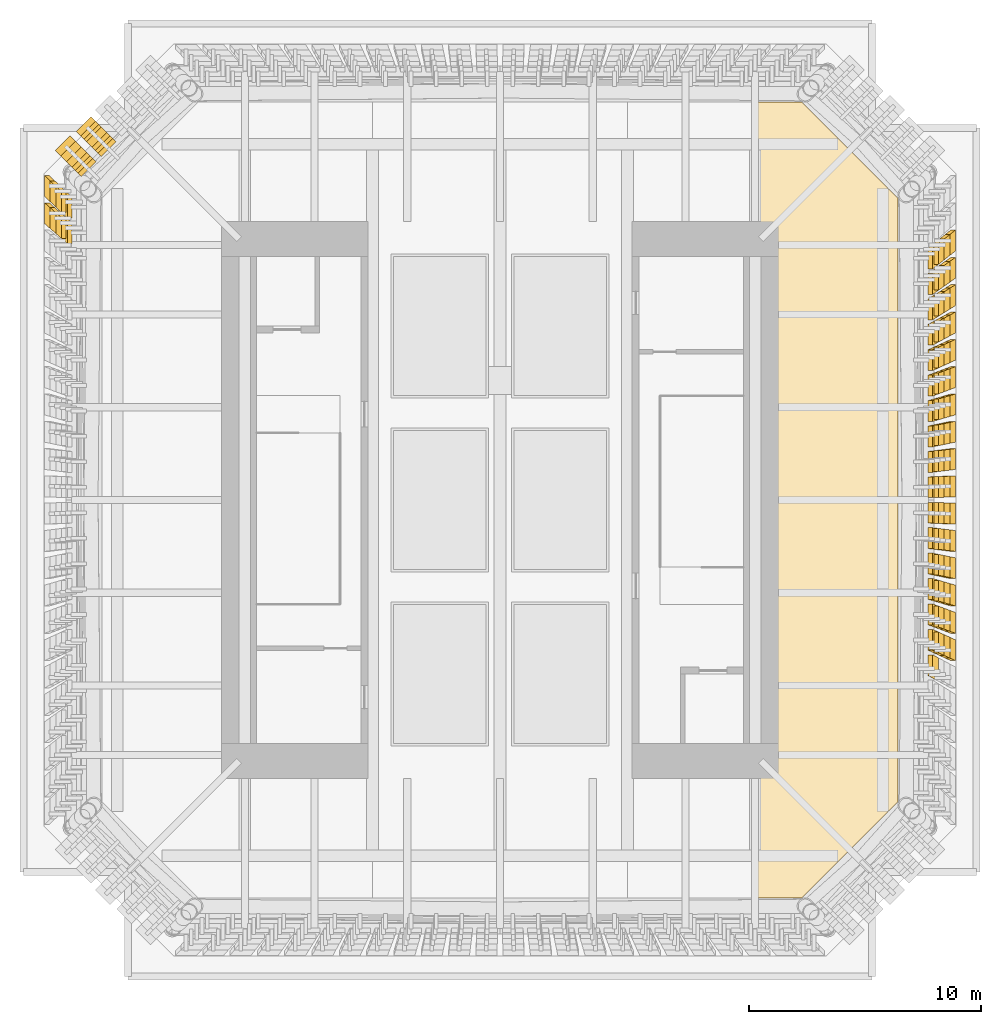
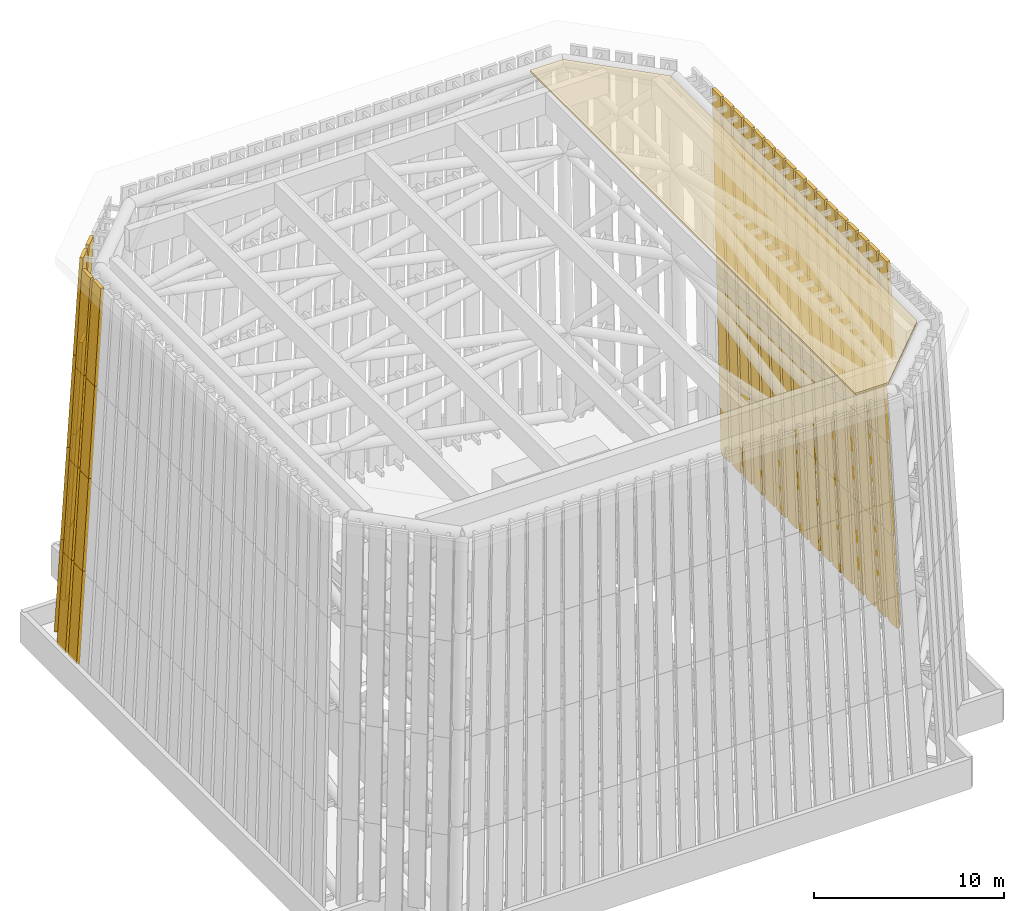
# One storey, part 10 of 13: 81 shading devices, 1 covering.
"""IFC4 building model written with IfcOpenShell, lengths in metres."""

from ifc_helpers import new_model, si_unit, direction, frame, origin, origin_2d, place, context, subcontext, project, spatial, polyline, rectangle, outline, extrude, source, transform, mapped, material, layer, layer_set, material_profile, profile_set, type_object, element, save


model = new_model("IFC4")

# Units and contexts
model_context = context("Model", 3, precision=1e-05, world=origin(), true_north=direction((0.0, 1.0)))
body_context = subcontext(model_context, "Body", "Model", "MODEL_VIEW")
ifc_project = project(units=[si_unit("LENGTHUNIT", "METRE"), si_unit("AREAUNIT", "SQUARE_METRE"), si_unit("VOLUMEUNIT", "CUBIC_METRE"), si_unit("PLANEANGLEUNIT", "RADIAN"), si_unit("MASSUNIT", "GRAM", prefix="KILO")], contexts=[model_context])

# Site, building, storey
site_placement = place(None, origin())
site = spatial("IfcSite", under=ifc_project, at=site_placement, CompositionType="ELEMENT")
building_placement = place(site_placement, origin())
building = spatial("IfcBuilding", under=site, at=building_placement, Name="Peilmerk Tower", CompositionType="ELEMENT")
storey_placement = place(building_placement, frame((0.0, 0.0, 307.800048828125)))
storey = spatial("IfcBuildingStorey", under=building, at=storey_placement, Name="RF", CompositionType="ELEMENT", Elevation=307.800048828125)

# Covering
ifc_material_1 = material(Name="Aluminium EN AW-6063 T6", Category="aluminium")
ifc_layer = layer(ifc_material_1, 0.1201171875)
ifc_layer_set = layer_set([ifc_layer], Name="Aluminium EN AW-6063 T6")
covering_type = type_object("IfcCoveringType", Name="LV1 120 louvre roof bay", PredefinedType="USERDEFINED", material=ifc_layer_set)
covering_placement = place(storey_placement, frame((0.0, 0.0, 24.199951171875)))
element("IfcCovering", 1, at=covering_placement, inside=storey, type_object=covering_type, Name="Crown louvre roof bay 6", ObjectType="LOUVRE ROOF", PredefinedType="USERDEFINED", context=body_context, shape_type="SweptSolid", body=[
    extrude(outline(polyline([(17.162353515625, 13.0205078125), (13.0205078125, 17.162353515625), (11.0, 17.162353515625), (11.0, -17.162353515625), (13.0205078125, -17.162353515625), (17.162353515625, -13.0205078125), (17.162353515625, 13.0205078125)])), origin(), (0.0, 0.0, 1.0), 0.1201171875),
])

# Shading devices
ifc_material_2 = material(Name="GRP composite, board-marked concrete finish", Category="concrete")
ifc_material_profile = material_profile(ifc_material_2, rectangle(XDim=0.199951171875, YDim=0.89990234375, at=origin_2d()), Name="CF1 200x900")
ifc_profile_set = profile_set([ifc_material_profile], Name="GRP composite, board-marked concrete finish")
shading_device_type = type_object("IfcShadingDeviceType", Name="CF1 200x900 GRP crown fin", PredefinedType="USERDEFINED", material=ifc_profile_set)
shared_shape_1 = source(origin(), body_context, "Body", "SweptSolid", [
    extrude(rectangle(XDim=0.199951171875, YDim=0.89990234375, at=origin_2d()), origin(), (0.0, 0.0, 1.0), 6.009765625),
])
for number, where, z_axis, x_axis, name in (
    (2, (-18.796875, 15.31689453125, 0.0), (0.040258485407, -0.040258485407, 0.998377938811), (-0.705959810721, 0.705959810721, 0.056934096063), "Crown fin CF1 NW_W 1 tier 1"),
    (3, (-18.554931640625, 15.074951171875, 6.0), (0.040258485407, -0.040258485407, 0.998377938811), (-0.705959810721, 0.705959810721, 0.056934096063), "Crown fin CF1 NW_W 1 tier 2"),
    (4, (-18.31298828125, 14.8330078125, 12.0), (0.040258485407, -0.040258485407, 0.998377938811), (-0.705959810721, 0.705959810721, 0.056934096063), "Crown fin CF1 NW_W 1 tier 3"),
    (5, (-17.684814453125, 15.94482421875, 6.0), (0.040258485407, -0.040258485407, 0.998377938811), (-0.705959810721, 0.705959810721, 0.056934096063), "Crown fin CF1 NW_W 2 tier 2"),
    (6, (-17.44287109375, 15.702880859375, 12.0), (0.040258485407, -0.040258485407, 0.998377938811), (-0.705959810721, 0.705959810721, 0.056934096063), "Crown fin CF1 NW_W 2 tier 3"),
):
    element("IfcShadingDevice", number, at=place(storey_placement, frame(where, z_axis=z_axis, x_axis=x_axis)), inside=storey, type_object=shading_device_type, Name=name, ObjectType="CROWN FIN", PredefinedType="USERDEFINED", context=body_context, shape_type="MappedRepresentation", body=[
        mapped(shared_shape_1, transform((0.0, 0.0, 0.0), scale=1.0)),
    ])
shared_shape_2 = source(origin(), body_context, "Body", "SweptSolid", [
    extrude(rectangle(XDim=0.199951171875, YDim=0.89990234375, at=origin_2d()), origin(), (0.0, 0.0, 1.0), 6.36572265625),
])
for number, where, z_axis, x_axis, name in (
    (7, (-18.071044921875, 14.591064453125, 18.0), (0.040269510679, -0.040269510679, 0.998377049526), (-0.705959181901, 0.705959181901, 0.056949688153), "Crown fin CF1 NW_W 1 tier 4"),
    (8, (-17.200927734375, 15.4609375, 18.0), (0.040231282973, -0.040231282973, 0.998380131884), (-0.705961361457, 0.705961361457, 0.056895626012), "Crown fin CF1 NW_W 2 tier 4"),
):
    element("IfcShadingDevice", number, at=place(storey_placement, frame(where, z_axis=z_axis, x_axis=x_axis)), inside=storey, type_object=shading_device_type, Name=name, ObjectType="CROWN FIN", PredefinedType="USERDEFINED", context=body_context, shape_type="MappedRepresentation", body=[
        mapped(shared_shape_2, transform((0.0, 0.0, 0.0), scale=1.0)),
    ])
shared_shape_3 = source(origin(), body_context, "Body", "SweptSolid", [
    extrude(rectangle(XDim=0.199951171875, YDim=0.89990234375, at=origin_2d()), origin(), (0.0, 0.0, 1.0), 4.807861328125),
])
shading_device_1_placement = place(storey_placement, frame((-17.87841796875, 16.138427734375, 1.199951171875), z_axis=(0.040268200199, -0.040268200199, 0.99837715524), x_axis=(-0.705959256652, 0.705959256652, 0.056947834853)))
element("IfcShadingDevice", 9, at=shading_device_1_placement, inside=storey, type_object=shading_device_type, Name="Crown fin CF1 NW_W 2 tier 1", ObjectType="CROWN FIN", PredefinedType="USERDEFINED", context=body_context, shape_type="MappedRepresentation", body=[
    mapped(shared_shape_3, transform((0.0, 0.0, 0.0), scale=1.0)),
])
shared_shape_4 = source(origin(), body_context, "Body", "SweptSolid", [
    extrude(rectangle(XDim=0.199951171875, YDim=0.89990234375, at=origin_2d()), origin(), (0.0, 0.0, 1.0), 6.00927734375),
])
for number, where, z_axis, x_axis, name in (
    (10, (-19.541015625, 13.54638671875, 0.0), (0.040261192417, -0.038554865392, 0.998445070467), (-0.999189189486, -0.001553524468, 0.040231208987), "Crown fin CF1 SW_W 24 tier 1"),
    (11, (-19.299072265625, 13.314697265625, 6.0), (0.04026112932, -0.03859543174, 0.99844350572), (-0.999189192028, -0.001555156602, 0.040231082785), "Crown fin CF1 SW_W 24 tier 2"),
    (12, (-19.05712890625, 13.082763671875, 12.0), (0.04026112932, -0.03859543174, 0.99844350572), (-0.999189192028, -0.001555156602, 0.040231082785), "Crown fin CF1 SW_W 24 tier 3"),
):
    element("IfcShadingDevice", number, at=place(storey_placement, frame(where, z_axis=z_axis, x_axis=x_axis)), inside=storey, type_object=shading_device_type, Name=name, ObjectType="CROWN FIN", PredefinedType="USERDEFINED", context=body_context, shape_type="MappedRepresentation", body=[
        mapped(shared_shape_4, transform((0.0, 0.0, 0.0), scale=1.0)),
    ])
shared_shape_5 = source(origin(), body_context, "Body", "SweptSolid", [
    extrude(rectangle(XDim=0.199951171875, YDim=0.89990234375, at=origin_2d()), origin(), (0.0, 0.0, 1.0), 6.365478515625),
])
shading_device_2_placement = place(storey_placement, frame((-18.815185546875, 12.850830078125, 18.0), z_axis=(0.040272249661, -0.038546296104, 0.9984449554), x_axis=(-0.999188743885, -0.001553606433, 0.040242271305)))
element("IfcShadingDevice", 13, at=shading_device_2_placement, inside=storey, type_object=shading_device_type, Name="Crown fin CF1 SW_W 24 tier 4", ObjectType="CROWN FIN", PredefinedType="USERDEFINED", context=body_context, shape_type="MappedRepresentation", body=[
    mapped(shared_shape_5, transform((0.0, 0.0, 0.0), scale=1.0)),
])
shared_shape_6 = source(origin(), body_context, "Body", "SweptSolid", [
    extrude(rectangle(XDim=0.199951171875, YDim=0.89990234375, at=origin_2d()), origin(), (0.0, 0.0, 1.0), 6.008544921875),
])
for number, where, z_axis, x_axis, name in (
    (14, (-19.541015625, 12.36865234375, 0.0), (0.040266083462, -0.035268375827, 0.998566364439), (-0.999188992395, -0.001421272027, 0.040240992324), "Crown fin CF1 SW_W 23 tier 1"),
    (15, (-19.299072265625, 12.15673828125, 6.0), (0.040266141131, -0.035227794511, 0.99856779458), (-0.999188990071, -0.001419638687, 0.040241107683), "Crown fin CF1 SW_W 23 tier 2"),
    (16, (-19.05712890625, 11.945068359375, 12.0), (0.040266141131, -0.035227794511, 0.99856779458), (-0.999188990071, -0.001419638687, 0.040241107683), "Crown fin CF1 SW_W 23 tier 3"),
):
    element("IfcShadingDevice", number, at=place(storey_placement, frame(where, z_axis=z_axis, x_axis=x_axis)), inside=storey, type_object=shading_device_type, Name=name, ObjectType="CROWN FIN", PredefinedType="USERDEFINED", context=body_context, shape_type="MappedRepresentation", body=[
        mapped(shared_shape_6, transform((0.0, 0.0, 0.0), scale=1.0)),
    ])
shared_shape_7 = source(origin(), body_context, "Body", "SweptSolid", [
    extrude(rectangle(XDim=0.199951171875, YDim=0.89990234375, at=origin_2d()), origin(), (0.0, 0.0, 1.0), 6.364501953125),
])
shading_device_3_placement = place(storey_placement, frame((-18.815185546875, 11.7333984375, 18.0), z_axis=(0.040277206305, -0.035213786084, 0.998567842423), x_axis=(-0.999188544096, -0.00141946476, 0.040252185873)))
element("IfcShadingDevice", 17, at=shading_device_3_placement, inside=storey, type_object=shading_device_type, Name="Crown fin CF1 SW_W 23 tier 4", ObjectType="CROWN FIN", PredefinedType="USERDEFINED", context=body_context, shape_type="MappedRepresentation", body=[
    mapped(shared_shape_7, transform((0.0, 0.0, 0.0), scale=1.0)),
])
shared_shape_8 = source(origin(), body_context, "Body", "SweptSolid", [
    extrude(rectangle(XDim=0.199951171875, YDim=0.89990234375, at=origin_2d()), origin(), (0.0, 0.0, 1.0), 6.0078125),
])
for number, where, z_axis, x_axis, name in (
    (18, (19.541015625, 11.190673828125, 0.0), (-0.04027064452, -0.031899551915, 0.998679474996), (0.999188808579, -0.001285658431, 0.040250116676), "Crown fin CF1 NE_E 3 tier 1"),
    (19, (19.299072265625, 10.9990234375, 6.0), (-0.040270696689, -0.031858956815, 0.998680768744), (0.999188806477, -0.001284023979, 0.040250221046), "Crown fin CF1 NE_E 3 tier 2"),
    (20, (19.05712890625, 10.8076171875, 12.0), (-0.04027064452, -0.031899551915, 0.998679474996), (0.999188808579, -0.001285658431, 0.040250116676), "Crown fin CF1 NE_E 3 tier 3"),
):
    element("IfcShadingDevice", number, at=place(storey_placement, frame(where, z_axis=z_axis, x_axis=x_axis)), inside=storey, type_object=shading_device_type, Name=name, ObjectType="CROWN FIN", PredefinedType="USERDEFINED", context=body_context, shape_type="MappedRepresentation", body=[
        mapped(shared_shape_8, transform((0.0, 0.0, 0.0), scale=1.0)),
    ])
shared_shape_9 = source(origin(), body_context, "Body", "SweptSolid", [
    extrude(rectangle(XDim=0.199951171875, YDim=0.89990234375, at=origin_2d()), origin(), (0.0, 0.0, 1.0), 6.36376953125),
])
shading_device_4_placement = place(storey_placement, frame((18.815185546875, 10.615966796875, 18.0), z_axis=(-0.040281716045, -0.031880100984, 0.998679649594), x_axis=(0.999188362298, -0.001285228315, 0.040261207578)))
element("IfcShadingDevice", 21, at=shading_device_4_placement, inside=storey, type_object=shading_device_type, Name="Crown fin CF1 NE_E 3 tier 4", ObjectType="CROWN FIN", PredefinedType="USERDEFINED", context=body_context, shape_type="MappedRepresentation", body=[
    mapped(shared_shape_9, transform((0.0, 0.0, 0.0), scale=1.0)),
])
shared_shape_10 = source(origin(), body_context, "Body", "SweptSolid", [
    extrude(rectangle(XDim=0.199951171875, YDim=0.89990234375, at=origin_2d()), origin(), (0.0, 0.0, 1.0), 6.00732421875),
])
for number, where, z_axis, x_axis, name in (
    (22, (19.541015625, 10.0126953125, 0.0), (-0.040274748865, -0.028529640468, 0.998781259445), (0.999188643152, -0.001149957131, 0.040258328266), "Crown fin CF1 NE_E 4 tier 1"),
    (23, (19.299072265625, 9.84130859375, 6.0), (-0.040274748865, -0.028529640468, 0.998781259445), (0.999188643152, -0.001149957131, 0.040258328266), "Crown fin CF1 NE_E 4 tier 2"),
    (24, (19.05712890625, 9.669921875, 12.0), (-0.040274748865, -0.028529640468, 0.998781259445), (0.999188643152, -0.001149957131, 0.040258328266), "Crown fin CF1 NE_E 4 tier 3"),
):
    element("IfcShadingDevice", number, at=place(storey_placement, frame(where, z_axis=z_axis, x_axis=x_axis)), inside=storey, type_object=shading_device_type, Name=name, ObjectType="CROWN FIN", PredefinedType="USERDEFINED", context=body_context, shape_type="MappedRepresentation", body=[
        mapped(shared_shape_10, transform((0.0, 0.0, 0.0), scale=1.0)),
    ])
shared_shape_11 = source(origin(), body_context, "Body", "SweptSolid", [
    extrude(rectangle(XDim=0.199951171875, YDim=0.89990234375, at=origin_2d()), origin(), (0.0, 0.0, 1.0), 6.36328125),
])
shading_device_5_placement = place(storey_placement, frame((18.815185546875, 9.49853515625, 18.0), z_axis=(-0.040285778427, -0.028545351571, 0.998780365726), x_axis=(0.999188198517, -0.001150906016, 0.040269335217)))
element("IfcShadingDevice", 25, at=shading_device_5_placement, inside=storey, type_object=shading_device_type, Name="Crown fin CF1 NE_E 4 tier 4", ObjectType="CROWN FIN", PredefinedType="USERDEFINED", context=body_context, shape_type="MappedRepresentation", body=[
    mapped(shared_shape_11, transform((0.0, 0.0, 0.0), scale=1.0)),
])
shared_shape_12 = source(origin(), body_context, "Body", "SweptSolid", [
    extrude(rectangle(XDim=0.199951171875, YDim=0.89990234375, at=origin_2d()), origin(), (0.0, 0.0, 1.0), 6.0068359375),
])
for number, where, z_axis, x_axis, name in (
    (26, (19.541015625, 8.834716796875, 0.0), (-0.040278354858, -0.025199374381, 0.998870685154), (0.999188497797, -0.001015813679, 0.040265543491), "Crown fin CF1 NE_E 5 tier 1"),
    (27, (19.299072265625, 8.683349609375, 6.0), (-0.040278396078, -0.025158755976, 0.998871707381), (0.999188496135, -0.001014177347, 0.040265625972), "Crown fin CF1 NE_E 5 tier 2"),
    (28, (19.05712890625, 8.5322265625, 12.0), (-0.040278396078, -0.025158755976, 0.998871707381), (0.999188496135, -0.001014177347, 0.040265625972), "Crown fin CF1 NE_E 5 tier 3"),
):
    element("IfcShadingDevice", number, at=place(storey_placement, frame(where, z_axis=z_axis, x_axis=x_axis)), inside=storey, type_object=shading_device_type, Name=name, ObjectType="CROWN FIN", PredefinedType="USERDEFINED", context=body_context, shape_type="MappedRepresentation", body=[
        mapped(shared_shape_12, transform((0.0, 0.0, 0.0), scale=1.0)),
    ])
shared_shape_13 = source(origin(), body_context, "Body", "SweptSolid", [
    extrude(rectangle(XDim=0.199951171875, YDim=0.89990234375, at=origin_2d()), origin(), (0.0, 0.0, 1.0), 6.362548828125),
])
shading_device_6_placement = place(storey_placement, frame((18.815185546875, 8.381103515625, 18.0), z_axis=(-0.040289431989, -0.025171302271, 0.998870946225), x_axis=(0.999188051205, -0.001014961568, 0.040276645628)))
element("IfcShadingDevice", 29, at=shading_device_6_placement, inside=storey, type_object=shading_device_type, Name="Crown fin CF1 NE_E 5 tier 4", ObjectType="CROWN FIN", PredefinedType="USERDEFINED", context=body_context, shape_type="MappedRepresentation", body=[
    mapped(shared_shape_13, transform((0.0, 0.0, 0.0), scale=1.0)),
])
shared_shape_14 = source(origin(), body_context, "Body", "SweptSolid", [
    extrude(rectangle(XDim=0.199951171875, YDim=0.89990234375, at=origin_2d()), origin(), (0.0, 0.0, 1.0), 6.00634765625),
])
for number, where, z_axis, x_axis, name in (
    (30, (19.541015625, 7.65673828125, 0.0), (-0.04028155008, -0.021827641163, 0.998949924072), (0.999188368989, -0.000879965428, 0.040271937347), "Crown fin CF1 NE_E 6 tier 1"),
    (31, (19.299072265625, 7.525634765625, 6.0), (-0.04028155008, -0.021827641163, 0.998949924072), (0.999188368989, -0.000879965428, 0.040271937347), "Crown fin CF1 NE_E 6 tier 2"),
    (32, (19.05712890625, 7.39453125, 12.0), (-0.040281585786, -0.021787013099, 0.998950809553), (0.99918836755, -0.000878328317, 0.0402720088), "Crown fin CF1 NE_E 6 tier 3"),
):
    element("IfcShadingDevice", number, at=place(storey_placement, frame(where, z_axis=z_axis, x_axis=x_axis)), inside=storey, type_object=shading_device_type, Name=name, ObjectType="CROWN FIN", PredefinedType="USERDEFINED", context=body_context, shape_type="MappedRepresentation", body=[
        mapped(shared_shape_14, transform((0.0, 0.0, 0.0), scale=1.0)),
    ])
shared_shape_15 = source(origin(), body_context, "Body", "SweptSolid", [
    extrude(rectangle(XDim=0.199951171875, YDim=0.89990234375, at=origin_2d()), origin(), (0.0, 0.0, 1.0), 6.362060546875),
])
for number, where, z_axis, x_axis, name in (
    (33, (18.815185546875, 7.263671875, 18.0), (-0.04029259333, -0.021834748195, 0.998949323386), (0.999187923727, -0.000880493657, 0.04028297169), "Crown fin CF1 NE_E 6 tier 4"),
    (34, (18.815185546875, -7.263671875, 18.0), (-0.04029259333, 0.021834748195, 0.998949323386), (0.999187923727, 0.000880493657, 0.04028297169), "Crown fin CF1 NE_E 19 tier 4"),
):
    element("IfcShadingDevice", number, at=place(storey_placement, frame(where, z_axis=z_axis, x_axis=x_axis)), inside=storey, type_object=shading_device_type, Name=name, ObjectType="CROWN FIN", PredefinedType="USERDEFINED", context=body_context, shape_type="MappedRepresentation", body=[
        mapped(shared_shape_15, transform((0.0, 0.0, 0.0), scale=1.0)),
    ])
shared_shape_16 = source(origin(), body_context, "Body", "SweptSolid", [
    extrude(rectangle(XDim=0.199951171875, YDim=0.89990234375, at=origin_2d()), origin(), (0.0, 0.0, 1.0), 6.005859375),
])
for number, where, z_axis, x_axis, name in (
    (35, (19.541015625, 6.478759765625, 0.0), (-0.040284287473, -0.01845516298, 0.999017809222), (0.999188258629, -0.000744057073, 0.040277415462), "Crown fin CF1 NE_E 7 tier 1"),
    (36, (19.299072265625, 6.367919921875, 6.0), (-0.040284287473, -0.01845516298, 0.999017809222), (0.999188258629, -0.000744057073, 0.040277415462), "Crown fin CF1 NE_E 7 tier 2"),
    (37, (19.05712890625, 6.257080078125, 12.0), (-0.040284257218, -0.018495799227, 0.999017058929), (0.999188259849, -0.000745694844, 0.040277354914), "Crown fin CF1 NE_E 7 tier 3"),
    (38, (19.541015625, -6.478759765625, 0.0), (-0.040284287473, 0.01845516298, 0.999017809222), (0.999188258629, 0.000744057073, 0.040277415462), "Crown fin CF1 NE_E 18 tier 1"),
    (39, (19.299072265625, -6.367919921875, 6.0), (-0.040284287473, 0.01845516298, 0.999017809222), (0.999188258629, 0.000744057073, 0.040277415462), "Crown fin CF1 NE_E 18 tier 2"),
    (40, (19.05712890625, -6.257080078125, 12.0), (-0.040284257218, 0.018495799227, 0.999017058929), (0.999188259849, 0.000745694844, 0.040277354914), "Crown fin CF1 NE_E 18 tier 3"),
):
    element("IfcShadingDevice", number, at=place(storey_placement, frame(where, z_axis=z_axis, x_axis=x_axis)), inside=storey, type_object=shading_device_type, Name=name, ObjectType="CROWN FIN", PredefinedType="USERDEFINED", context=body_context, shape_type="MappedRepresentation", body=[
        mapped(shared_shape_16, transform((0.0, 0.0, 0.0), scale=1.0)),
    ])
shared_shape_17 = source(origin(), body_context, "Body", "SweptSolid", [
    extrude(rectangle(XDim=0.199951171875, YDim=0.89990234375, at=origin_2d()), origin(), (0.0, 0.0, 1.0), 6.36181640625),
])
for number, where, z_axis, x_axis, name in (
    (41, (18.815185546875, 6.14599609375, 18.0), (-0.040295334799, -0.018459100989, 0.999017290934), (0.999187813173, -0.000744420263, 0.040288457963), "Crown fin CF1 NE_E 7 tier 4"),
    (42, (18.815185546875, -6.14599609375, 18.0), (-0.040295334799, 0.018459100989, 0.999017290934), (0.999187813173, 0.000744420263, 0.040288457963), "Crown fin CF1 NE_E 18 tier 4"),
):
    element("IfcShadingDevice", number, at=place(storey_placement, frame(where, z_axis=z_axis, x_axis=x_axis)), inside=storey, type_object=shading_device_type, Name=name, ObjectType="CROWN FIN", PredefinedType="USERDEFINED", context=body_context, shape_type="MappedRepresentation", body=[
        mapped(shared_shape_17, transform((0.0, 0.0, 0.0), scale=1.0)),
    ])
shared_shape_18 = source(origin(), body_context, "Body", "SweptSolid", [
    extrude(rectangle(XDim=0.199951171875, YDim=0.89990234375, at=origin_2d()), origin(), (0.0, 0.0, 1.0), 6.005615234375),
])
for number, where, z_axis, x_axis, name in (
    (43, (19.541015625, 5.30078125, 0.0), (-0.040286542024, -0.015122697914, 0.999073720273), (0.99918816773, -0.000609736209, 0.040281927586), "Crown fin CF1 NE_E 8 tier 1"),
    (44, (19.299072265625, 5.2099609375, 6.0), (-0.040286566758, -0.01508205476, 0.999074333652), (0.999188166733, -0.00060809788, 0.040281977088), "Crown fin CF1 NE_E 8 tier 2"),
    (45, (19.05712890625, 5.119384765625, 12.0), (-0.040286542024, -0.015122697914, 0.999073720273), (0.99918816773, -0.000609736209, 0.040281927586), "Crown fin CF1 NE_E 8 tier 3"),
    (46, (19.541015625, -5.30078125, 0.0), (-0.040286542024, 0.015122697914, 0.999073720273), (0.99918816773, 0.000609736209, 0.040281927586), "Crown fin CF1 NE_E 17 tier 1"),
    (47, (19.299072265625, -5.2099609375, 6.0), (-0.040286566758, 0.01508205476, 0.999074333652), (0.999188166733, 0.00060809788, 0.040281977088), "Crown fin CF1 NE_E 17 tier 2"),
    (48, (19.05712890625, -5.119384765625, 12.0), (-0.040286542024, 0.015122697914, 0.999073720273), (0.99918816773, 0.000609736209, 0.040281927586), "Crown fin CF1 NE_E 17 tier 3"),
):
    element("IfcShadingDevice", number, at=place(storey_placement, frame(where, z_axis=z_axis, x_axis=x_axis)), inside=storey, type_object=shading_device_type, Name=name, ObjectType="CROWN FIN", PredefinedType="USERDEFINED", context=body_context, shape_type="MappedRepresentation", body=[
        mapped(shared_shape_18, transform((0.0, 0.0, 0.0), scale=1.0)),
    ])
shared_shape_19 = source(origin(), body_context, "Body", "SweptSolid", [
    extrude(rectangle(XDim=0.199951171875, YDim=0.89990234375, at=origin_2d()), origin(), (0.0, 0.0, 1.0), 6.361328125),
])
for number, where, z_axis, x_axis, name in (
    (49, (18.815185546875, 5.028564453125, 18.0), (-0.040297617172, -0.015082822427, 0.999073876406), (0.999187721127, -0.00060829591, 0.040293025772), "Crown fin CF1 NE_E 8 tier 4"),
    (50, (18.815185546875, -5.028564453125, 18.0), (-0.040297617172, 0.015082822427, 0.999073876406), (0.999187721127, 0.00060829591, 0.040293025772), "Crown fin CF1 NE_E 17 tier 4"),
):
    element("IfcShadingDevice", number, at=place(storey_placement, frame(where, z_axis=z_axis, x_axis=x_axis)), inside=storey, type_object=shading_device_type, Name=name, ObjectType="CROWN FIN", PredefinedType="USERDEFINED", context=body_context, shape_type="MappedRepresentation", body=[
        mapped(shared_shape_19, transform((0.0, 0.0, 0.0), scale=1.0)),
    ])
shared_shape_20 = source(origin(), body_context, "Body", "SweptSolid", [
    extrude(rectangle(XDim=0.199951171875, YDim=0.89990234375, at=origin_2d()), origin(), (0.0, 0.0, 1.0), 6.00537109375),
])
for number, where, z_axis, x_axis, name in (
    (51, (19.541015625, 4.122802734375, 0.0), (-0.040288368491, -0.011749080216, 0.999119015172), (0.999188094087, -0.000473735902, 0.040285583153), "Crown fin CF1 NE_E 9 tier 1"),
    (52, (19.299072265625, 4.05224609375, 6.0), (-0.040288368491, -0.011749080216, 0.999119015172), (0.999188094087, -0.000473735902, 0.040285583153), "Crown fin CF1 NE_E 9 tier 2"),
    (53, (19.05712890625, 3.981689453125, 12.0), (-0.040288368491, -0.011749080216, 0.999119015172), (0.999188094087, -0.000473735902, 0.040285583153), "Crown fin CF1 NE_E 9 tier 3"),
    (54, (19.541015625, -4.122802734375, 0.0), (-0.040288368491, 0.011749080216, 0.999119015172), (0.999188094087, 0.000473735902, 0.040285583153), "Crown fin CF1 NE_E 16 tier 1"),
    (55, (19.299072265625, -4.05224609375, 6.0), (-0.040288368491, 0.011749080216, 0.999119015172), (0.999188094087, 0.000473735902, 0.040285583153), "Crown fin CF1 NE_E 16 tier 2"),
    (56, (19.05712890625, -3.981689453125, 12.0), (-0.040288368491, 0.011749080216, 0.999119015172), (0.999188094087, 0.000473735902, 0.040285583153), "Crown fin CF1 NE_E 16 tier 3"),
):
    element("IfcShadingDevice", number, at=place(storey_placement, frame(where, z_axis=z_axis, x_axis=x_axis)), inside=storey, type_object=shading_device_type, Name=name, ObjectType="CROWN FIN", PredefinedType="USERDEFINED", context=body_context, shape_type="MappedRepresentation", body=[
        mapped(shared_shape_20, transform((0.0, 0.0, 0.0), scale=1.0)),
    ])
shared_shape_21 = source(origin(), body_context, "Body", "SweptSolid", [
    extrude(rectangle(XDim=0.199951171875, YDim=0.89990234375, at=origin_2d()), origin(), (0.0, 0.0, 1.0), 6.361083984375),
])
for number, where, z_axis, x_axis, name in (
    (57, (18.815185546875, 3.9111328125, 18.0), (-0.04029942208, -0.011744403006, 0.999118624378), (0.999187648332, -0.000473677446, 0.040296638193), "Crown fin CF1 NE_E 9 tier 4"),
    (58, (18.815185546875, -3.9111328125, 18.0), (-0.04029942208, 0.011744403006, 0.999118624378), (0.999187648332, 0.000473677446, 0.040296638193), "Crown fin CF1 NE_E 16 tier 4"),
):
    element("IfcShadingDevice", number, at=place(storey_placement, frame(where, z_axis=z_axis, x_axis=x_axis)), inside=storey, type_object=shading_device_type, Name=name, ObjectType="CROWN FIN", PredefinedType="USERDEFINED", context=body_context, shape_type="MappedRepresentation", body=[
        mapped(shared_shape_21, transform((0.0, 0.0, 0.0), scale=1.0)),
    ])
shared_shape_22 = source(origin(), body_context, "Body", "SweptSolid", [
    extrude(rectangle(XDim=0.199951171875, YDim=0.89990234375, at=origin_2d()), origin(), (0.0, 0.0, 1.0), 6.005126953125),
])
for number, where, z_axis, x_axis, name in (
    (59, (19.541015625, 2.94482421875, 0.0), (-0.040289736431, -0.008375061256, 0.999152938987), (0.999188038929, -0.000337703212, 0.040288321115), "Crown fin CF1 NE_E 10 tier 1"),
    (60, (19.299072265625, 2.89453125, 6.0), (-0.04028972268, -0.008415714021, 0.999152597957), (0.999188039483, -0.000339342317, 0.04028829359), "Crown fin CF1 NE_E 10 tier 2"),
    (61, (19.05712890625, 2.843994140625, 12.0), (-0.040289736431, -0.008375061256, 0.999152938987), (0.999188038929, -0.000337703212, 0.040288321115), "Crown fin CF1 NE_E 10 tier 3"),
    (62, (19.541015625, -2.94482421875, 0.0), (-0.040289736431, 0.008375061256, 0.999152938987), (0.999188038929, 0.000337703212, 0.040288321115), "Crown fin CF1 NE_E 15 tier 1"),
    (63, (19.299072265625, -2.89453125, 6.0), (-0.04028972268, 0.008415714021, 0.999152597957), (0.999188039483, 0.000339342317, 0.04028829359), "Crown fin CF1 NE_E 15 tier 2"),
    (64, (19.05712890625, -2.843994140625, 12.0), (-0.040289736431, 0.008375061256, 0.999152938987), (0.999188038929, 0.000337703212, 0.040288321115), "Crown fin CF1 NE_E 15 tier 3"),
):
    element("IfcShadingDevice", number, at=place(storey_placement, frame(where, z_axis=z_axis, x_axis=x_axis)), inside=storey, type_object=shading_device_type, Name=name, ObjectType="CROWN FIN", PredefinedType="USERDEFINED", context=body_context, shape_type="MappedRepresentation", body=[
        mapped(shared_shape_22, transform((0.0, 0.0, 0.0), scale=1.0)),
    ])
shared_shape_23 = source(origin(), body_context, "Body", "SweptSolid", [
    extrude(rectangle(XDim=0.199951171875, YDim=0.89990234375, at=origin_2d()), origin(), (0.0, 0.0, 1.0), 6.36083984375),
])
for number, where, z_axis, x_axis, name in (
    (65, (18.815185546875, 2.793701171875, 18.0), (-0.040300777858, -0.00840559081, 0.999152237323), (0.99918759365, -0.000339027276, 0.040299351812), "Crown fin CF1 NE_E 10 tier 4"),
    (66, (18.815185546875, -2.793701171875, 18.0), (-0.040300777858, 0.00840559081, 0.999152237323), (0.99918759365, 0.000339027276, 0.040299351812), "Crown fin CF1 NE_E 15 tier 4"),
):
    element("IfcShadingDevice", number, at=place(storey_placement, frame(where, z_axis=z_axis, x_axis=x_axis)), inside=storey, type_object=shading_device_type, Name=name, ObjectType="CROWN FIN", PredefinedType="USERDEFINED", context=body_context, shape_type="MappedRepresentation", body=[
        mapped(shared_shape_23, transform((0.0, 0.0, 0.0), scale=1.0)),
    ])
shared_shape_24 = source(origin(), body_context, "Body", "SweptSolid", [
    extrude(rectangle(XDim=0.199951171875, YDim=0.89990234375, at=origin_2d()), origin(), (0.0, 0.0, 1.0), 6.0048828125),
])
for number, where, z_axis, x_axis, name in (
    (67, (19.541015625, 1.766845703125, 0.0), (-0.04029063748, -0.005041411753, 0.999175284271), (0.999188002596, -0.000203286762, 0.040290124634), "Crown fin CF1 NE_E 11 tier 1"),
    (68, (19.299072265625, 1.736572265625, 6.0), (-0.040290645705, -0.005000756228, 0.999175488243), (0.999188002264, -0.000201647435, 0.040290141097), "Crown fin CF1 NE_E 11 tier 2"),
    (69, (19.05712890625, 1.70654296875, 12.0), (-0.04029063748, -0.005041411753, 0.999175284271), (0.999188002596, -0.000203286762, 0.040290124634), "Crown fin CF1 NE_E 11 tier 3"),
    (70, (19.541015625, 0.5888671875, 0.0), (-0.040291093522, -0.00166693727, 0.999186593737), (0.999187984207, -6.7217307e-05, 0.040291037453), "Crown fin CF1 NE_E 12 tier 1"),
    (71, (19.299072265625, 0.578857421875, 6.0), (-0.040291093522, -0.00166693727, 0.999186593737), (0.999187984207, -6.7217307e-05, 0.040291037453), "Crown fin CF1 NE_E 12 tier 2"),
    (72, (19.05712890625, 0.56884765625, 12.0), (-0.040291093522, -0.00166693727, 0.999186593737), (0.999187984207, -6.7217307e-05, 0.040291037453), "Crown fin CF1 NE_E 12 tier 3"),
    (73, (19.541015625, -0.5888671875, 0.0), (-0.040291093522, 0.00166693727, 0.999186593737), (0.999187984207, 6.7217307e-05, 0.040291037453), "Crown fin CF1 NE_E 13 tier 1"),
    (74, (19.299072265625, -0.578857421875, 6.0), (-0.040291093522, 0.00166693727, 0.999186593737), (0.999187984207, 6.7217307e-05, 0.040291037453), "Crown fin CF1 NE_E 13 tier 2"),
    (75, (19.05712890625, -0.56884765625, 12.0), (-0.040291093522, 0.00166693727, 0.999186593737), (0.999187984207, 6.7217307e-05, 0.040291037453), "Crown fin CF1 NE_E 13 tier 3"),
    (76, (19.541015625, -1.766845703125, 0.0), (-0.04029063748, 0.005041411753, 0.999175284271), (0.999188002596, 0.000203286762, 0.040290124634), "Crown fin CF1 NE_E 14 tier 1"),
    (77, (19.299072265625, -1.736572265625, 6.0), (-0.040290645705, 0.005000756228, 0.999175488243), (0.999188002264, 0.000201647435, 0.040290141097), "Crown fin CF1 NE_E 14 tier 2"),
    (78, (19.05712890625, -1.70654296875, 12.0), (-0.04029063748, 0.005041411753, 0.999175284271), (0.999188002596, 0.000203286762, 0.040290124634), "Crown fin CF1 NE_E 14 tier 3"),
):
    element("IfcShadingDevice", number, at=place(storey_placement, frame(where, z_axis=z_axis, x_axis=x_axis)), inside=storey, type_object=shading_device_type, Name=name, ObjectType="CROWN FIN", PredefinedType="USERDEFINED", context=body_context, shape_type="MappedRepresentation", body=[
        mapped(shared_shape_24, transform((0.0, 0.0, 0.0), scale=1.0)),
    ])
shared_shape_25 = source(origin(), body_context, "Body", "SweptSolid", [
    extrude(rectangle(XDim=0.199951171875, YDim=0.89990234375, at=origin_2d()), origin(), (0.0, 0.0, 1.0), 6.360595703125),
])
for number, where, z_axis, x_axis, name in (
    (79, (18.815185546875, 1.67626953125, 18.0), (-0.040301692175, -0.005028115881, 0.999174905439), (0.999187556772, -0.000202806347, 0.040301181891), "Crown fin CF1 NE_E 11 tier 4"),
    (80, (18.815185546875, 0.558837890625, 18.0), (-0.040302144162, -0.001688851755, 0.99918611127), (0.999187538541, -6.8119692e-05, 0.040302086593), "Crown fin CF1 NE_E 12 tier 4"),
    (81, (18.815185546875, -0.558837890625, 18.0), (-0.040302144162, 0.001688851755, 0.99918611127), (0.999187538541, 6.8119692e-05, 0.040302086593), "Crown fin CF1 NE_E 13 tier 4"),
    (82, (18.815185546875, -1.67626953125, 18.0), (-0.040301692175, 0.005028115881, 0.999174905439), (0.999187556772, 0.000202806347, 0.040301181891), "Crown fin CF1 NE_E 14 tier 4"),
):
    element("IfcShadingDevice", number, at=place(storey_placement, frame(where, z_axis=z_axis, x_axis=x_axis)), inside=storey, type_object=shading_device_type, Name=name, ObjectType="CROWN FIN", PredefinedType="USERDEFINED", context=body_context, shape_type="MappedRepresentation", body=[
        mapped(shared_shape_25, transform((0.0, 0.0, 0.0), scale=1.0)),
    ])

save(model, "model.ifc")
